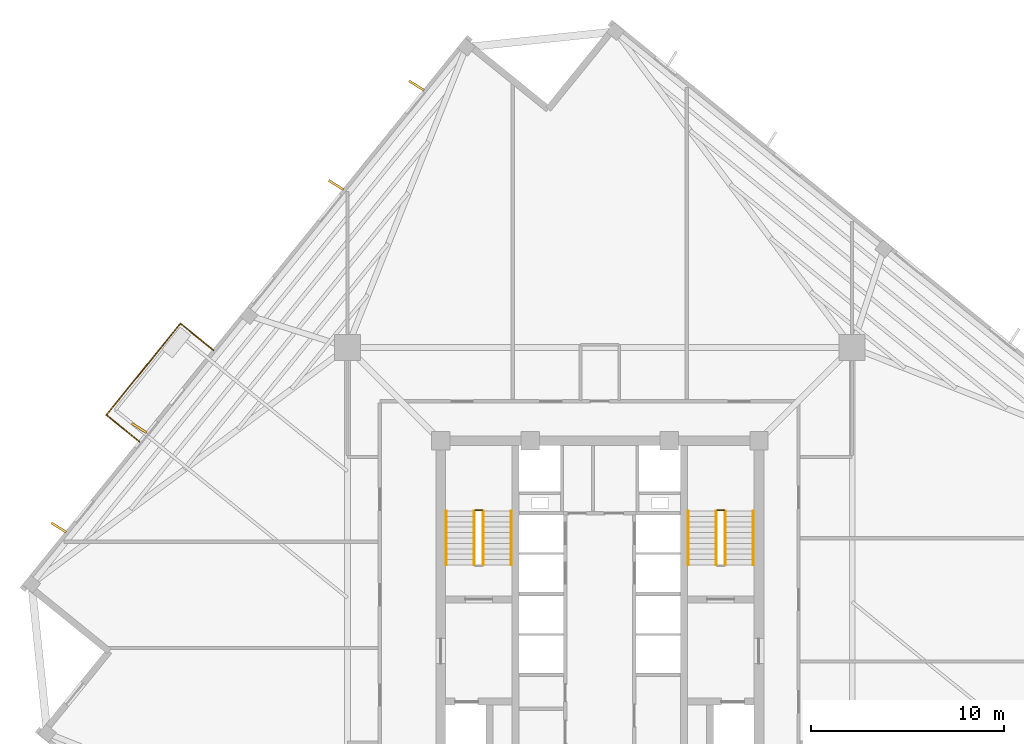
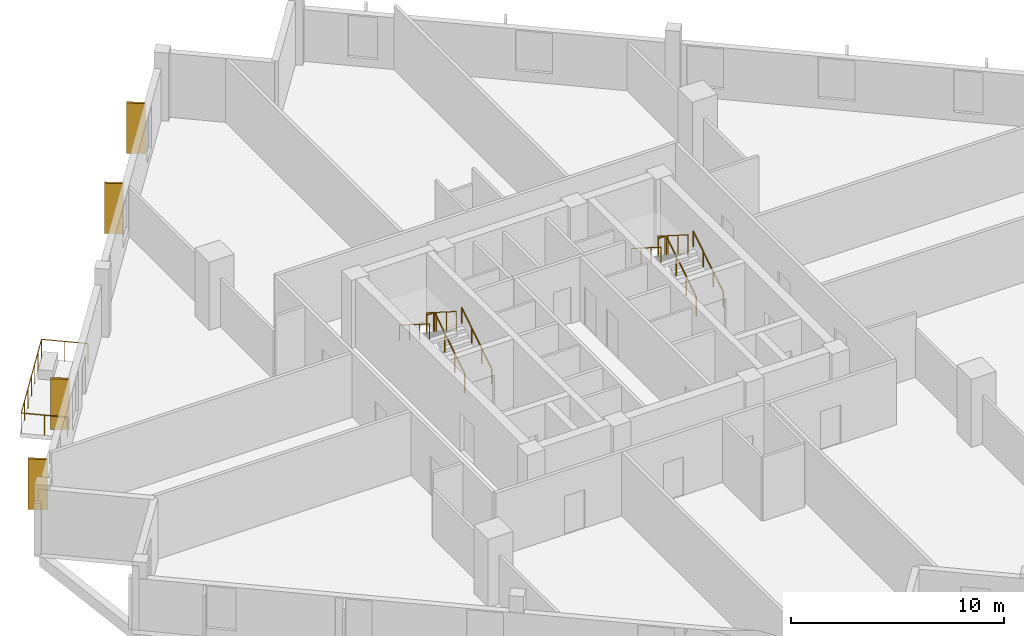
# One storey, part 8 of 9: 13 railings, 4 coverings.
"""IFC4 building model written with IfcOpenShell, lengths in metres."""

from ifc_helpers import new_model, si_unit, direction, frame, origin, origin_2d, place, context, subcontext, project, spatial, rectangle, circle, extrude, source, transform, mapped, material, layer, layer_set, type_object, element, save


model = new_model("IFC4")

# Units and contexts
model_context = context("Model", 3, precision=1e-05, world=origin(), true_north=direction((0.0, 1.0)))
body_context = subcontext(model_context, "Body", "Model", "MODEL_VIEW")
ifc_project = project(units=[si_unit("LENGTHUNIT", "METRE"), si_unit("AREAUNIT", "SQUARE_METRE"), si_unit("VOLUMEUNIT", "CUBIC_METRE"), si_unit("PLANEANGLEUNIT", "RADIAN"), si_unit("MASSUNIT", "GRAM", prefix="KILO"), si_unit("THERMODYNAMICTEMPERATUREUNIT", "KELVIN")], contexts=[model_context])

# Site, building, storey
site_placement = place(None, origin())
site = spatial("IfcSite", under=ifc_project, at=site_placement, CompositionType="ELEMENT")
building_placement = place(site_placement, origin())
building = spatial("IfcBuilding", under=site, at=building_placement, Name="Kosmvard Interchange Tower", CompositionType="ELEMENT")
storey_placement = place(building_placement, frame((0.0, 0.0, 232.89990234375)))
storey = spatial("IfcBuildingStorey", under=building, at=storey_placement, Name="L56", CompositionType="ELEMENT", Elevation=232.89990234375)

# Railings
ifc_material_1 = material(Name="Steel S355", Category="steel")
railing_type_1 = type_object("IfcRailingType", Name="Observation & Balcony Glass-Infill Balustrade 1150", PredefinedType="BALUSTRADE", material=ifc_material_1)
shared_shape_1 = source(origin(), body_context, "Body", "SweptSolid", [
    extrude(circle(Radius=0.02392578125, at=origin_2d()), frame((0.0, 0.0, 1.1259765625), z_axis=(0.777141488432, -0.629325914736, 0.0), x_axis=(0.629325914736, 0.777141488432, 0.0)), (0.0, 0.0, 1.0), 2.199951171875),
    extrude(circle(Radius=0.02099609375, at=origin_2d()), origin(), (0.0, 0.0, 1.0), 1.101806640625),
    extrude(circle(Radius=0.02099609375, at=origin_2d()), frame((0.85498046875, -0.6923828125, 0.0)), (0.0, 0.0, 1.0), 1.101806640625),
    extrude(circle(Radius=0.02099609375, at=origin_2d()), frame((1.709716796875, -1.384521484375, 0.0)), (0.0, 0.0, 1.0), 1.101806640625),
])
railing_1_placement = place(storey_placement, frame((-25.57177734375, 9.5771484375, 0.0)))
element("IfcRailing", 1, at=railing_1_placement, inside=storey, type_object=railing_type_1, Name="L56 Outdoor Terrace Guard BAL-L56-NE-C", PredefinedType="BALUSTRADE", context=body_context, shape_type="MappedRepresentation", body=[
    mapped(shared_shape_1, transform((0.0, 0.0, 0.0), scale=1.0)),
])
shared_shape_2 = source(origin(), body_context, "Body", "SweptSolid", [
    extrude(circle(Radius=0.02392578125, at=origin_2d()), frame((0.0, 0.0, 1.1259765625), z_axis=(-0.777141488432, 0.629325914736, 0.0), x_axis=(-0.629325914736, -0.777141488432, 0.0)), (0.0, 0.0, 1.0), 2.199951171875),
    extrude(circle(Radius=0.02099609375, at=origin_2d()), origin(), (0.0, 0.0, 1.0), 1.101806640625),
    extrude(circle(Radius=0.02099609375, at=origin_2d()), frame((-0.85498046875, 0.6923828125, 0.0)), (0.0, 0.0, 1.0), 1.101806640625),
    extrude(circle(Radius=0.02099609375, at=origin_2d()), frame((-1.709716796875, 1.384521484375, 0.0)), (0.0, 0.0, 1.0), 1.101806640625),
])
railing_2_placement = place(storey_placement, frame((-20.023193359375, 12.93310546875, 0.0)))
element("IfcRailing", 2, at=railing_2_placement, inside=storey, type_object=railing_type_1, Name="L56 Outdoor Terrace Guard BAL-L56-NE-A", PredefinedType="BALUSTRADE", context=body_context, shape_type="MappedRepresentation", body=[
    mapped(shared_shape_2, transform((0.0, 0.0, 0.0), scale=1.0)),
])

# Coverings
ifc_material_2 = material(Name="Architectural anodised aluminium", Category="aluminium")
ifc_layer = layer(ifc_material_2, 0.1201171875, Name="Architectural anodised aluminium")
ifc_layer_set = layer_set([ifc_layer], Name="Architectural anodised aluminium")
covering_type = type_object("IfcCoveringType", Name="Rotating Vertical Sun-Breaker Fin 900x120 Aluminium", PredefinedType="CLADDING", material=ifc_layer_set)
shared_shape_3 = source(origin(), body_context, "Body", "SweptSolid", [
    extrude(rectangle(XDim=0.89990234375, YDim=0.1201171875, at=origin_2d()), origin(), (0.0, 0.0, 1.0), 2.8798828125),
])
for number, where, z_axis, x_axis, name in (
    (3, (-9.494384765625, 26.650146484375, 0.0400390625), (0.0, 0.0, 1.0), (-0.847955594881, 0.530067268476, 0.0), "L56 Rotating Vertical Sun-Breaker Fin 09"),
    (4, (-13.66748046875, 21.49658203125, 0.0400390625), (0.0, 0.0, 1.0), (-0.847955594881, 0.530067268476, 0.0), "L56 Rotating Vertical Sun-Breaker Fin 10"),
    (5, (-23.86865234375, 8.8994140625, 0.0400390625), (0.0, 0.0, 1.0), (-0.847955594881, 0.530067268476, 0.0), "L56 Rotating Vertical Sun-Breaker Fin 11"),
    (6, (-28.041748046875, 3.74609375, 0.0400390625), (0.0, 0.0, 1.0), (-0.847955594881, 0.530067268476, 0.0), "L56 Rotating Vertical Sun-Breaker Fin 12"),
):
    element("IfcCovering", number, at=place(storey_placement, frame(where, z_axis=z_axis, x_axis=x_axis)), inside=storey, type_object=covering_type, Name=name, PredefinedType="CLADDING", context=body_context, shape_type="MappedRepresentation", body=[
        mapped(shared_shape_3, transform((0.0, 0.0, 0.0), scale=1.0)),
    ])

# Railings
shared_shape_4 = source(origin(), body_context, "Body", "SweptSolid", [
    extrude(circle(Radius=0.02392578125, at=origin_2d()), frame((0.0, 0.0, 1.1259765625), z_axis=(-0.629330626282, -0.777137673017, 0.0), x_axis=(0.777137673017, -0.629330626282, 0.0)), (0.0, 0.0, 1.0), 6.099853515625),
    extrude(circle(Radius=0.02099609375, at=origin_2d()), origin(), (0.0, 0.0, 1.0), 1.101806640625),
    extrude(circle(Radius=0.02099609375, at=origin_2d()), frame((-0.639892578125, -0.7900390625, 0.0)), (0.0, 0.0, 1.0), 1.101806640625),
    extrude(circle(Radius=0.02099609375, at=origin_2d()), frame((-1.279541015625, -1.580078125, 0.0)), (0.0, 0.0, 1.0), 1.101806640625),
    extrude(circle(Radius=0.02099609375, at=origin_2d()), frame((-1.91943359375, -2.3701171875, 0.0)), (0.0, 0.0, 1.0), 1.101806640625),
    extrude(circle(Radius=0.02099609375, at=origin_2d()), frame((-2.559326171875, -3.160400390625, 0.0)), (0.0, 0.0, 1.0), 1.101806640625),
    extrude(circle(Radius=0.02099609375, at=origin_2d()), frame((-3.198974609375, -3.950439453125, 0.0)), (0.0, 0.0, 1.0), 1.101806640625),
    extrude(circle(Radius=0.02099609375, at=origin_2d()), frame((-3.8388671875, -4.740478515625, 0.0)), (0.0, 0.0, 1.0), 1.101806640625),
])
railing_3_placement = place(storey_placement, frame((-21.73291015625, 14.317626953125, 0.0)))
element("IfcRailing", 7, at=railing_3_placement, inside=storey, type_object=railing_type_1, Name="L56 Outdoor Terrace Guard BAL-L56-NE-B", PredefinedType="BALUSTRADE", context=body_context, shape_type="MappedRepresentation", body=[
    mapped(shared_shape_4, transform((0.0, 0.0, 0.0), scale=1.0)),
])
railing_type_2 = type_object("IfcRailingType", Name="Stair & Terrace Safety Guardrail 1100 Steel", PredefinedType="GUARDRAIL", material=ifc_material_1)
shared_shape_5 = source(origin(), body_context, "Body", "SweptSolid", [
    extrude(circle(Radius=0.02392578125, at=origin_2d()), frame((0.0, 0.0, 1.076171875), z_axis=(-1.0, 0.0, 0.0), x_axis=(0.0, -1.0, 0.0)), (0.0, 0.0, 1.0), 0.35986328125),
    extrude(circle(Radius=0.02099609375, at=origin_2d()), origin(), (0.0, 0.0, 1.0), 1.052001953125),
    extrude(circle(Radius=0.02099609375, at=origin_2d()), frame((-0.35986328125, 0.0, 0.0)), (0.0, 0.0, 1.0), 1.052001953125),
])
for number, where, name in (
    (8, (-6.090087890625, 4.64990234375, 1.9501953125), "L56 ST-1 stair guard 2"),
    (9, (6.449951171875, 4.64990234375, 1.9501953125), "L56 ST-2 stair guard 2"),
):
    element("IfcRailing", number, at=place(storey_placement, frame(where)), inside=storey, type_object=railing_type_2, Name=name, PredefinedType="GUARDRAIL", context=body_context, shape_type="MappedRepresentation", body=[
        mapped(shared_shape_5, transform((0.0, 0.0, 0.0), scale=1.0)),
    ])
shared_shape_6 = source(origin(), body_context, "Body", "SweptSolid", [
    extrude(circle(Radius=0.02392578125, at=origin_2d()), frame((0.0, 0.0, 1.076171875), z_axis=(0.0, 0.844908973607, 0.534910110503), x_axis=(-1.0, 0.0, 0.0)), (0.0, 0.0, 1.0), 3.31396484375),
    extrude(circle(Radius=0.02099609375, at=origin_2d()), origin(), (0.0, 0.0, 1.0), 1.052001953125),
    extrude(circle(Radius=0.02099609375, at=origin_2d()), frame((0.0, 0.933349609375, 0.5908203125)), (0.0, 0.0, 1.0), 1.052001953125),
    extrude(circle(Radius=0.02099609375, at=origin_2d()), frame((0.0, 1.86669921875, 1.181884765625)), (0.0, 0.0, 1.0), 1.052001953125),
    extrude(circle(Radius=0.02099609375, at=origin_2d()), frame((0.0, 2.800048828125, 1.772705078125)), (0.0, 0.0, 1.0), 1.052001953125),
])
for number, where, name in (
    (10, (-6.0400390625, 1.800048828125, 0.177490234375), "L56 ST-1 stair guard 1"),
    (11, (6.5, 1.800048828125, 0.177490234375), "L56 ST-2 stair guard 1"),
):
    element("IfcRailing", number, at=place(storey_placement, frame(where)), inside=storey, type_object=railing_type_2, Name=name, PredefinedType="GUARDRAIL", context=body_context, shape_type="MappedRepresentation", body=[
        mapped(shared_shape_6, transform((0.0, 0.0, 0.0), scale=1.0)),
    ])
shared_shape_7 = source(origin(), body_context, "Body", "SweptSolid", [
    extrude(circle(Radius=0.02392578125, at=origin_2d()), frame((0.0, 0.0, 1.076171875), z_axis=(0.0, -0.844908973607, 0.534910110503), x_axis=(1.0, 0.0, 0.0)), (0.0, 0.0, 1.0), 3.31396484375),
    extrude(circle(Radius=0.02099609375, at=origin_2d()), origin(), (0.0, 0.0, 1.0), 1.052001953125),
    extrude(circle(Radius=0.02099609375, at=origin_2d()), frame((0.0, -0.933349609375, 0.5908203125)), (0.0, 0.0, 1.0), 1.052001953125),
    extrude(circle(Radius=0.02099609375, at=origin_2d()), frame((0.0, -1.86669921875, 1.181884765625)), (0.0, 0.0, 1.0), 1.052001953125),
    extrude(circle(Radius=0.02099609375, at=origin_2d()), frame((0.0, -2.800048828125, 1.772705078125)), (0.0, 0.0, 1.0), 1.052001953125),
])
for number, where, name in (
    (12, (-6.5, 4.60009765625, 2.12744140625), "L56 ST-1 stair guard 3"),
    (13, (6.0400390625, 4.60009765625, 2.12744140625), "L56 ST-2 stair guard 3"),
):
    element("IfcRailing", number, at=place(storey_placement, frame(where)), inside=storey, type_object=railing_type_2, Name=name, PredefinedType="GUARDRAIL", context=body_context, shape_type="MappedRepresentation", body=[
        mapped(shared_shape_7, transform((0.0, 0.0, 0.0), scale=1.0)),
    ])
railing_type_3 = type_object("IfcRailingType", Name="Wall-Mounted Stair Handrail 900 Steel", PredefinedType="HANDRAIL", material=ifc_material_1)
shared_shape_8 = source(origin(), body_context, "Body", "SweptSolid", [
    extrude(circle(Radius=0.02392578125, at=origin_2d()), frame((0.0, 0.0, 0.8759765625), z_axis=(0.0, 0.844908973607, 0.534910110503), x_axis=(-1.0, 0.0, 0.0)), (0.0, 0.0, 1.0), 3.31396484375),
    extrude(circle(Radius=0.02099609375, at=origin_2d()), origin(), (0.0, 0.0, 1.0), 0.851806640625),
    extrude(circle(Radius=0.02099609375, at=origin_2d()), frame((0.0, 0.933349609375, 0.5908203125)), (0.0, 0.0, 1.0), 0.851806640625),
    extrude(circle(Radius=0.02099609375, at=origin_2d()), frame((0.0, 1.86669921875, 1.181884765625)), (0.0, 0.0, 1.0), 0.851806640625),
    extrude(circle(Radius=0.02099609375, at=origin_2d()), frame((0.0, 2.800048828125, 1.772705078125)), (0.0, 0.0, 1.0), 0.851806640625),
])
for number, where, name in (
    (14, (-4.590087890625, 1.800048828125, 0.177490234375), "L56 ST-1 stair handrail 1"),
    (15, (7.949951171875, 1.800048828125, 0.177490234375), "L56 ST-2 stair handrail 1"),
):
    element("IfcRailing", number, at=place(storey_placement, frame(where)), inside=storey, type_object=railing_type_3, Name=name, PredefinedType="HANDRAIL", context=body_context, shape_type="MappedRepresentation", body=[
        mapped(shared_shape_8, transform((0.0, 0.0, 0.0), scale=1.0)),
    ])
shared_shape_9 = source(origin(), body_context, "Body", "SweptSolid", [
    extrude(circle(Radius=0.02392578125, at=origin_2d()), frame((0.0, 0.0, 0.8759765625), z_axis=(0.0, -0.844908973607, 0.534910110503), x_axis=(1.0, 0.0, 0.0)), (0.0, 0.0, 1.0), 3.31396484375),
    extrude(circle(Radius=0.02099609375, at=origin_2d()), origin(), (0.0, 0.0, 1.0), 0.851806640625),
    extrude(circle(Radius=0.02099609375, at=origin_2d()), frame((0.0, -0.933349609375, 0.5908203125)), (0.0, 0.0, 1.0), 0.851806640625),
    extrude(circle(Radius=0.02099609375, at=origin_2d()), frame((0.0, -1.86669921875, 1.181884765625)), (0.0, 0.0, 1.0), 0.851806640625),
    extrude(circle(Radius=0.02099609375, at=origin_2d()), frame((0.0, -2.800048828125, 1.772705078125)), (0.0, 0.0, 1.0), 0.851806640625),
])
for number, where, name in (
    (16, (-7.949951171875, 4.60009765625, 2.12744140625), "L56 ST-1 stair handrail 2"),
    (17, (4.590087890625, 4.60009765625, 2.12744140625), "L56 ST-2 stair handrail 2"),
):
    element("IfcRailing", number, at=place(storey_placement, frame(where)), inside=storey, type_object=railing_type_3, Name=name, PredefinedType="HANDRAIL", context=body_context, shape_type="MappedRepresentation", body=[
        mapped(shared_shape_9, transform((0.0, 0.0, 0.0), scale=1.0)),
    ])

save(model, "model.ifc")
